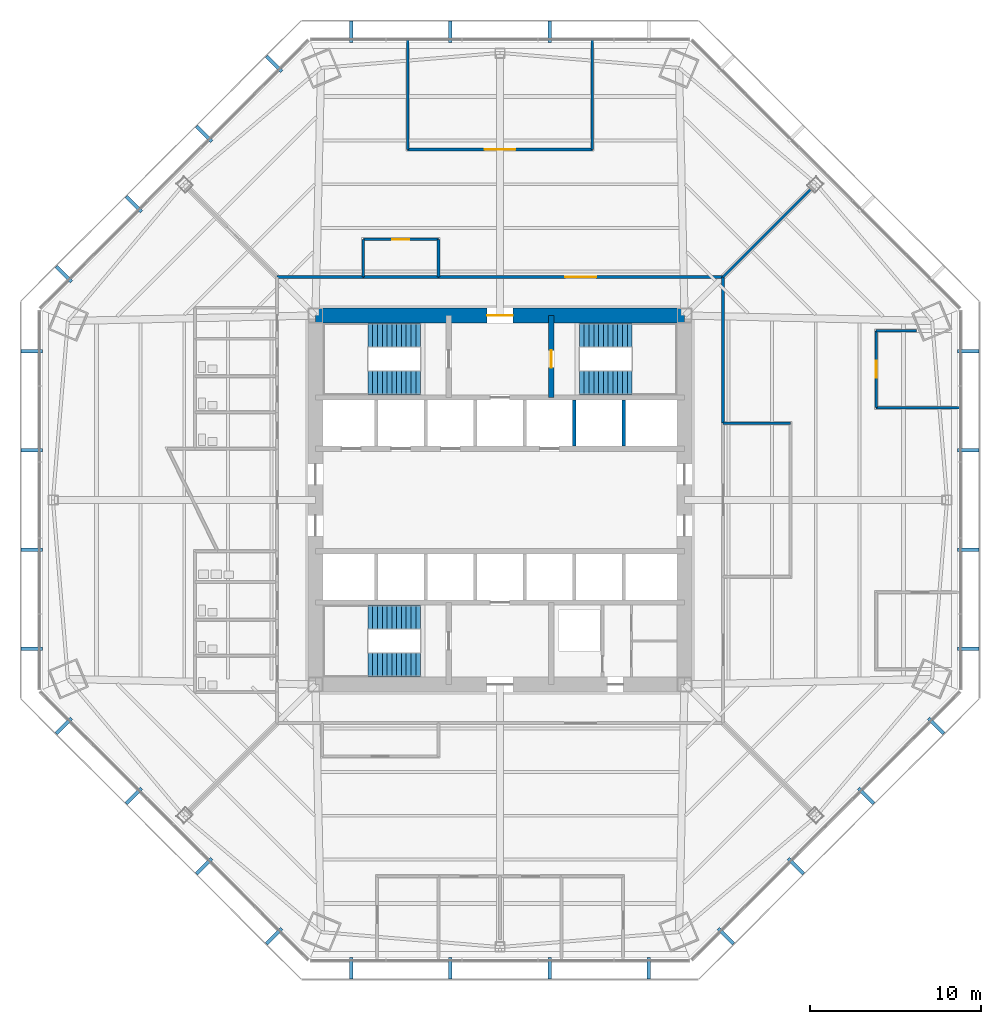
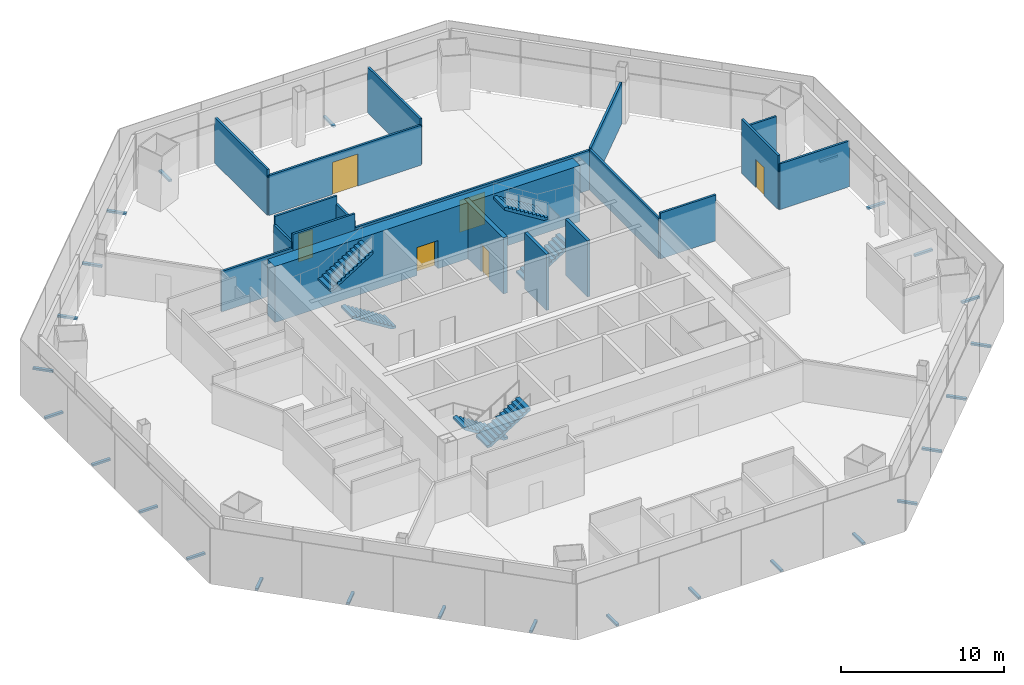
# One storey, part 11 of 15: 27 discrete accessories, 19 walls, 6 doors, 6 stair flights, 6 openings, 3 elements without a shape of their own.
"""IFC4 building model written with IfcOpenShell, lengths in metres."""

from ifc_helpers import new_model, si_unit, direction, frame, frame_2d, origin, origin_2d, place, context, subcontext, project, spatial, polyline, rectangle, outline, extrude, source, transform, mapped, material, layer, layer_set, type_object, type_shapes, element, fill, aggregate, save


model = new_model("IFC4")

# Units and contexts
model_context = context("Model", 3, precision=1e-05, world=origin(), true_north=direction((0.0, 1.0)))
body_context = subcontext(model_context, "Body", "Model", "MODEL_VIEW")
ifc_project = project(units=[si_unit("LENGTHUNIT", "METRE"), si_unit("AREAUNIT", "SQUARE_METRE"), si_unit("VOLUMEUNIT", "CUBIC_METRE"), si_unit("PLANEANGLEUNIT", "RADIAN"), si_unit("MASSUNIT", "GRAM", prefix="KILO")], contexts=[model_context])

# Site, building, storey
site_placement = place(None, origin())
site = spatial("IfcSite", under=ifc_project, at=site_placement, CompositionType="ELEMENT")
building_placement = place(site_placement, origin())
building = spatial("IfcBuilding", under=site, at=building_placement, Name="Mashrafa Tower", CompositionType="ELEMENT")
storey_placement = place(building_placement, frame((0.0, 0.0, 37.199951171875)))
storey = spatial("IfcBuildingStorey", under=building, at=storey_placement, Name="L07", CompositionType="ELEMENT", Elevation=37.199951171875)

# Wall, opening, door
ifc_material_1 = material(Name="Concrete C60/75", Category="concrete")
ifc_layer_1 = layer(ifc_material_1, 0.300048828125)
ifc_layer_set_1 = layer_set([ifc_layer_1], Name="Core wall 300 C60/75")
wall_type_1 = type_object("IfcWallType", Name="Core wall 300 C60/75", PredefinedType="SOLIDWALL", material=ifc_layer_set_1)
wall_1_placement = place(storey_placement, frame((3.0, 6.0, 0.0), z_axis=(0.0, 0.0, 1.0), x_axis=(0.0, 1.0, 0.0)))
wall_1 = element("IfcWall", 1, at=wall_1_placement, inside=storey, type_object=wall_type_1, Name="Core wall CX-NE L07", PredefinedType="SOLIDWALL", context=body_context, shape_type="SweptSolid", body=[
    extrude(rectangle(XDim=4.800048828125, YDim=0.300048828125, at=frame_2d((2.39990234375, 0.0))), origin(), (0.0, 0.0, 1.0), 4.199951171875),
])
opening_1_placement = place(wall_1_placement, frame((1.75, 0.0, 0.0)))
opening_1 = element("IfcOpeningElement", 2, at=opening_1_placement, cuts=wall_1, Name="Opening 07.031", PredefinedType="OPENING", context=body_context, shape_type="SweptSolid", body=[
    extrude(rectangle(XDim=1.0, YDim=2.10009765625, at=frame_2d((0.5, 1.050048828125))), frame((0.0, 0.159912109375, 0.0), z_axis=(0.0, -1.0, 0.0), x_axis=(1.0, 0.0, 0.0)), (0.0, 0.0, 1.0), 0.320068359375),
])
ifc_material_2 = material(Name="Steel door", Category="steel")
door_type_1 = type_object("IfcDoorType", Name="Stair door 1000 x 2100 90 min", OperationType="USERDEFINED", PredefinedType="DOOR", material=ifc_material_2)
door_1_placement = place(opening_1_placement, frame((1.0, 0.0, 0.0), z_axis=(0.0, 0.0, 1.0), x_axis=(-1.0, 0.0, 0.0)))
door_1 = element("IfcDoor", 3, at=door_1_placement, inside=storey, type_object=door_type_1, Name="Stair S2 door L07", OperationType="SINGLE_SWING_RIGHT", OverallHeight=2.10009765625, OverallWidth=1.0, PredefinedType="DOOR", context=body_context, shape_type="SweptSolid", body=[
    extrude(rectangle(XDim=1.0, YDim=2.10009765625, at=frame_2d((0.5, 1.050048828125))), frame((0.0, 0.02490234375, 0.0), z_axis=(0.0, -1.0, 0.0), x_axis=(1.0, 0.0, 0.0)), (0.0, 0.0, 1.0), 0.050048828125),
])
fill(opening_1, door_1)

ifc_material_3 = material(Name="Concrete C60/75", Category="concrete")
ifc_layer_2 = layer(ifc_material_3, 0.89990234375)
ifc_layer_set_2 = layer_set([ifc_layer_2], Name="Core wall 900 C60/75")
wall_type_2 = type_object("IfcWallType", Name="Core wall 900 C60/75", PredefinedType="SOLIDWALL", material=ifc_layer_set_2)
wall_2_placement = place(storey_placement, frame((10.800048828125, 10.800048828125, 0.0), z_axis=(0.0, 0.0, 1.0), x_axis=(-1.0, 0.0, 0.0)))
wall_2 = element("IfcWall", 4, at=wall_2_placement, inside=storey, type_object=wall_type_2, Name="Core wall CW-N L07", PredefinedType="SOLIDWALL", context=body_context, shape_type="SweptSolid", body=[
    extrude(rectangle(XDim=21.60009765625, YDim=0.89990234375, at=frame_2d((10.800048828125, 0.0))), origin(), (0.0, 0.0, 1.0), 4.199951171875),
])
opening_2_placement = place(wall_2_placement, frame((10.050048828125, 0.0, 0.0)))
opening_2 = element("IfcOpeningElement", 5, at=opening_2_placement, cuts=wall_2, Name="Opening 07.028", PredefinedType="OPENING", context=body_context, shape_type="SweptSolid", body=[
    extrude(rectangle(XDim=1.5, YDim=2.10009765625, at=frame_2d((0.75, 1.050048828125))), frame((0.0, 0.4599609375, 0.0), z_axis=(0.0, -1.0, 0.0), x_axis=(1.0, 0.0, 0.0)), (0.0, 0.0, 1.0), 0.919921875),
])
ifc_material_4 = material(Name="Steel door", Category="steel")
door_type_2 = type_object("IfcDoorType", Name="Lobby door pair 1500 x 2100 90 min", OperationType="DOUBLE_DOOR_SINGLE_SWING", PredefinedType="DOOR", material=ifc_material_4)
door_2_placement = place(opening_2_placement, origin())
door_2 = element("IfcDoor", 6, at=door_2_placement, inside=storey, type_object=door_type_2, Name="Fire-fighting lobby F1 door L07", OperationType="DOUBLE_DOOR_SINGLE_SWING", OverallHeight=2.10009765625, OverallWidth=1.5, PredefinedType="DOOR", context=body_context, shape_type="SweptSolid", body=[
    extrude(rectangle(XDim=1.5, YDim=2.10009765625, at=frame_2d((0.75, 1.050048828125))), frame((0.0, 0.02490234375, 0.0), z_axis=(0.0, -1.0, 0.0), x_axis=(1.0, 0.0, 0.0)), (0.0, 0.0, 1.0), 0.050048828125),
])
fill(opening_2, door_2)

# Walls
ifc_material_5 = material(Name="Gypsum board on steel studs", Category="steel")
ifc_layer_3 = layer(ifc_material_5, 0.14990234375)
ifc_layer_set_3 = layer_set([ifc_layer_3], Name="Corridor partition 150 1 hr")
wall_type_3 = type_object("IfcWallType", Name="Corridor partition 150 1 hr", PredefinedType="PARTITIONING", material=ifc_layer_set_3)
wall_3_placement = place(storey_placement, frame((-3.59912109375, 13.050048828125, 0.0), z_axis=(0.0, 0.0, 1.0), x_axis=(-1.0, 0.0, 0.0)))
element("IfcWall", 7, at=wall_3_placement, inside=storey, type_object=wall_type_3, Name="Corridor wall L07-011", PredefinedType="PARTITIONING", context=body_context, shape_type="SweptSolid", body=[
    extrude(rectangle(XDim=4.40185546875, YDim=0.14990234375, at=frame_2d((2.200927734375, 0.0))), origin(), (0.0, 0.0, 1.0), 4.03515625),
])
wall_4_placement = place(storey_placement, frame((-7.9990234375, 13.050048828125, 0.0), z_axis=(0.0, 0.0, 1.0), x_axis=(-1.0, 0.0, 0.0)))
element("IfcWall", 8, at=wall_4_placement, inside=storey, type_object=wall_type_3, Name="Corridor wall L07-013", PredefinedType="PARTITIONING", context=body_context, shape_type="SweptSolid", body=[
    extrude(rectangle(XDim=5.051025390625, YDim=0.14990234375, at=frame_2d((2.525390625, 0.0))), origin(), (0.0, 0.0, 1.0), 3.01416015625),
])

# Wall, opening, door
wall_5_placement = place(storey_placement, frame((13.050048828125, 13.050048828125, 0.0), z_axis=(0.0, 0.0, 1.0), x_axis=(-1.0, 0.0, 0.0)))
wall_5 = element("IfcWall", 9, at=wall_5_placement, inside=storey, type_object=wall_type_3, Name="Corridor wall L07-014", PredefinedType="PARTITIONING", context=body_context, shape_type="SweptSolid", body=[
    extrude(rectangle(XDim=16.651123046875, YDim=0.14990234375, at=frame_2d((8.32568359375, 0.0))), origin(), (0.0, 0.0, 1.0), 2.983642578125),
])
opening_3_placement = place(wall_5_placement, frame((7.425537109375, 0.0, 0.0)))
opening_3 = element("IfcOpeningElement", 10, at=opening_3_placement, cuts=wall_5, Name="Opening 07.020", PredefinedType="OPENING", context=body_context, shape_type="SweptSolid", body=[
    extrude(rectangle(XDim=1.800048828125, YDim=2.39990234375, at=frame_2d((0.89990234375, 1.199951171875))), frame((0.0, 0.0849609375, 0.0), z_axis=(0.0, -1.0, 0.0), x_axis=(1.0, 0.0, 0.0)), (0.0, 0.0, 1.0), 0.169921875),
])
ifc_material_6 = material(Name="Timber door", Category="wood")
door_type_3 = type_object("IfcDoorType", Name="Door pair 1800 x 2400", OperationType="DOUBLE_DOOR_SINGLE_SWING", PredefinedType="DOOR", material=ifc_material_6)
door_3_placement = place(opening_3_placement, frame((1.800048828125, 0.0, 0.0), z_axis=(0.0, 0.0, 1.0), x_axis=(-1.0, 0.0, 0.0)))
door_3 = element("IfcDoor", 11, at=door_3_placement, inside=storey, type_object=door_type_3, Name="Corporate Banking Office 07 door", OperationType="DOUBLE_DOOR_SINGLE_SWING", OverallHeight=2.39990234375, OverallWidth=1.800048828125, PredefinedType="DOOR", context=body_context, shape_type="SweptSolid", body=[
    extrude(rectangle(XDim=1.800048828125, YDim=2.39990234375, at=frame_2d((0.89990234375, 1.199951171875))), frame((0.0, 0.02490234375, 0.0), z_axis=(0.0, -1.0, 0.0), x_axis=(1.0, 0.0, 0.0)), (0.0, 0.0, 1.0), 0.050048828125),
])
fill(opening_3, door_3)

# Walls
wall_6_placement = place(storey_placement, frame((13.050048828125, 4.4990234375, 0.0), z_axis=(0.0, 0.0, 1.0), x_axis=(0.0, 1.0, 0.0)))
element("IfcWall", 12, at=wall_6_placement, inside=storey, type_object=wall_type_3, Name="Corridor wall L07-016", PredefinedType="PARTITIONING", context=body_context, shape_type="SweptSolid", body=[
    extrude(rectangle(XDim=8.551025390625, YDim=0.14990234375, at=frame_2d((4.275390625, 0.0))), origin(), (0.0, 0.0, 1.0), 3.01416015625),
])
wall_7_placement = place(storey_placement, frame((17.0, 4.5, 0.0), z_axis=(0.0, 0.0, 1.0), x_axis=(-1.0, 0.0, 0.0)))
element("IfcWall", 13, at=wall_7_placement, inside=storey, type_object=wall_type_3, Name="Corridor wall L07-044", PredefinedType="PARTITIONING", context=body_context, shape_type="SweptSolid", body=[
    extrude(rectangle(XDim=3.949951171875, YDim=0.14990234375, at=frame_2d((1.97509765625, 0.0))), origin(), (0.0, 0.0, 1.0), 3.425537109375),
])
ifc_material_7 = material(Name="Gypsum board on steel studs", Category="steel")
ifc_layer_4 = layer(ifc_material_7, 0.14990234375)
ifc_layer_set_4 = layer_set([ifc_layer_4], Name="Partition 150")
wall_type_4 = type_object("IfcWallType", Name="Partition 150", PredefinedType="PARTITIONING", material=ifc_layer_set_4)
wall_8_placement = place(storey_placement, frame((-5.39990234375, 26.9443359375, 0.0), z_axis=(0.0, 0.0, 1.0), x_axis=(0.0, -1.0, 0.0)))
element("IfcWall", 14, at=wall_8_placement, inside=storey, type_object=wall_type_4, Name="Partition wall L07-045", PredefinedType="PARTITIONING", context=body_context, shape_type="SweptSolid", body=[
    extrude(rectangle(XDim=6.431884765625, YDim=0.14990234375, at=frame_2d((3.2158203125, 0.0))), origin(), (0.0, 0.0, 1.0), 3.423095703125),
])

# Wall, opening, door
wall_9_placement = place(storey_placement, frame((-5.39990234375, 20.512451171875, 0.0), z_axis=(0.0, 0.0, 1.0), x_axis=(1.0, 0.0, 0.0)))
wall_9 = element("IfcWall", 15, at=wall_9_placement, inside=storey, type_object=wall_type_4, Name="Partition wall L07-046", PredefinedType="PARTITIONING", context=body_context, shape_type="SweptSolid", body=[
    extrude(rectangle(XDim=10.7998046875, YDim=0.14990234375, at=frame_2d((5.39990234375, 0.0))), origin(), (0.0, 0.0, 1.0), 2.983642578125),
])
opening_4_placement = place(wall_9_placement, frame((4.5, 0.0, 0.0)))
opening_4 = element("IfcOpeningElement", 16, at=opening_4_placement, cuts=wall_9, Name="Opening 07.011", PredefinedType="OPENING", context=body_context, shape_type="SweptSolid", body=[
    extrude(rectangle(XDim=1.800048828125, YDim=2.39990234375, at=frame_2d((0.89990234375, 1.199951171875))), frame((0.0, 0.0849609375, 0.0), z_axis=(0.0, -1.0, 0.0), x_axis=(1.0, 0.0, 0.0)), (0.0, 0.0, 1.0), 0.169921875),
])
door_4_placement = place(opening_4_placement, origin())
door_4 = element("IfcDoor", 17, at=door_4_placement, inside=storey, type_object=door_type_3, Name="Board Room 07 door", OperationType="DOUBLE_DOOR_SINGLE_SWING", OverallHeight=2.39990234375, OverallWidth=1.800048828125, PredefinedType="DOOR", context=body_context, shape_type="SweptSolid", body=[
    extrude(rectangle(XDim=1.800048828125, YDim=2.39990234375, at=frame_2d((0.89990234375, 1.199951171875))), frame((0.0, 0.02490234375, 0.0), z_axis=(0.0, -1.0, 0.0), x_axis=(1.0, 0.0, 0.0)), (0.0, 0.0, 1.0), 0.050048828125),
])
fill(opening_4, door_4)

# Walls
wall_10_placement = place(storey_placement, frame((5.39990234375, 20.512451171875, 0.0), z_axis=(0.0, 0.0, 1.0), x_axis=(0.0, 1.0, 0.0)))
element("IfcWall", 18, at=wall_10_placement, inside=storey, type_object=wall_type_4, Name="Partition wall L07-047", PredefinedType="PARTITIONING", context=body_context, shape_type="SweptSolid", body=[
    extrude(rectangle(XDim=6.431884765625, YDim=0.14990234375, at=frame_2d((3.2158203125, 0.0))), origin(), (0.0, 0.0, 1.0), 3.423095703125),
])
wall_11_placement = place(storey_placement, frame((-3.60009765625, 13.050048828125, 0.0), z_axis=(0.0, 0.0, 1.0), x_axis=(0.0, 1.0, 0.0)))
element("IfcWall", 19, at=wall_11_placement, inside=storey, type_object=wall_type_4, Name="Partition wall L07-048", PredefinedType="PARTITIONING", context=body_context, shape_type="SweptSolid", body=[
    extrude(rectangle(XDim=2.199951171875, YDim=0.14990234375, at=frame_2d((1.10009765625, 0.0))), origin(), (0.0, 0.0, 1.0), 3.425537109375),
])

# Wall, opening, door
wall_12_placement = place(storey_placement, frame((-3.60009765625, 15.25, 0.0), z_axis=(0.0, 0.0, 1.0), x_axis=(-1.0, 0.0, 0.0)))
wall_12 = element("IfcWall", 20, at=wall_12_placement, inside=storey, type_object=wall_type_4, Name="Partition wall L07-049", PredefinedType="PARTITIONING", context=body_context, shape_type="SweptSolid", body=[
    extrude(rectangle(XDim=4.39990234375, YDim=0.14990234375, at=frame_2d((2.199951171875, 0.0))), origin(), (0.0, 0.0, 1.0), 4.03515625),
])
opening_5_placement = place(wall_12_placement, frame((1.699951171875, 0.0, 0.0)))
opening_5 = element("IfcOpeningElement", 21, at=opening_5_placement, cuts=wall_12, Name="Opening 07.012", PredefinedType="OPENING", context=body_context, shape_type="SweptSolid", body=[
    extrude(rectangle(XDim=1.0, YDim=2.10009765625, at=frame_2d((0.5, 1.050048828125))), frame((0.0, 0.0849609375, 0.0), z_axis=(0.0, -1.0, 0.0), x_axis=(1.0, 0.0, 0.0)), (0.0, 0.0, 1.0), 0.169921875),
])
ifc_material_8 = material(Name="Timber door", Category="wood")
door_type_4 = type_object("IfcDoorType", Name="Door 1000 x 2100", OperationType="USERDEFINED", PredefinedType="DOOR", material=ifc_material_8)
door_5_placement = place(opening_5_placement, origin())
door_5 = element("IfcDoor", 22, at=door_5_placement, inside=storey, type_object=door_type_4, Name="Pantry 07 door", OperationType="SINGLE_SWING_LEFT", OverallHeight=2.10009765625, OverallWidth=1.0, PredefinedType="DOOR", context=body_context, shape_type="SweptSolid", body=[
    extrude(rectangle(XDim=1.0, YDim=2.10009765625, at=frame_2d((0.5, 1.050048828125))), frame((0.0, 0.02490234375, 0.0), z_axis=(0.0, -1.0, 0.0), x_axis=(1.0, 0.0, 0.0)), (0.0, 0.0, 1.0), 0.050048828125),
])
fill(opening_5, door_5)

# Walls
wall_13_placement = place(storey_placement, frame((-8.0, 15.25, 0.0), z_axis=(0.0, 0.0, 1.0), x_axis=(0.0, -1.0, 0.0)))
element("IfcWall", 23, at=wall_13_placement, inside=storey, type_object=wall_type_4, Name="Partition wall L07-050", PredefinedType="PARTITIONING", context=body_context, shape_type="SweptSolid", body=[
    extrude(rectangle(XDim=2.199951171875, YDim=0.14990234375, at=frame_2d((1.10009765625, 0.0))), origin(), (0.0, 0.0, 1.0), 3.425537109375),
])
wall_14_placement = place(storey_placement, frame((24.38720703125, 9.89990234375, 0.0), z_axis=(0.0, 0.0, 1.0), x_axis=(-1.0, 0.0, 0.0)))
element("IfcWall", 24, at=wall_14_placement, inside=storey, type_object=wall_type_4, Name="Partition wall L07-063", PredefinedType="PARTITIONING", context=body_context, shape_type="SweptSolid", body=[
    extrude(rectangle(XDim=2.374755859375, YDim=0.14990234375, at=frame_2d((1.1875, 0.0))), origin(), (0.0, 0.0, 1.0), 3.423095703125),
])

# Wall, opening, door
wall_15_placement = place(storey_placement, frame((22.012451171875, 9.89990234375, 0.0), z_axis=(0.0, 0.0, 1.0), x_axis=(0.0, -1.0, 0.0)))
wall_15 = element("IfcWall", 25, at=wall_15_placement, inside=storey, type_object=wall_type_4, Name="Partition wall L07-064", PredefinedType="PARTITIONING", context=body_context, shape_type="SweptSolid", body=[
    extrude(rectangle(XDim=4.5, YDim=0.14990234375, at=frame_2d((2.25, 0.0))), origin(), (0.0, 0.0, 1.0), 4.03515625),
])
opening_6_placement = place(wall_15_placement, frame((1.75, 0.0, 0.0)))
opening_6 = element("IfcOpeningElement", 26, at=opening_6_placement, cuts=wall_15, Name="Opening 07.018", PredefinedType="OPENING", context=body_context, shape_type="SweptSolid", body=[
    extrude(rectangle(XDim=1.0, YDim=2.10009765625, at=frame_2d((0.5, 1.050048828125))), frame((0.0, 0.0849609375, 0.0), z_axis=(0.0, -1.0, 0.0), x_axis=(1.0, 0.0, 0.0)), (0.0, 0.0, 1.0), 0.169921875),
])
door_6_placement = place(opening_6_placement, origin())
door_6 = element("IfcDoor", 27, at=door_6_placement, inside=storey, type_object=door_type_4, Name="Meeting Room 07-1 door", OperationType="SINGLE_SWING_RIGHT", OverallHeight=2.10009765625, OverallWidth=1.0, PredefinedType="DOOR", context=body_context, shape_type="SweptSolid", body=[
    extrude(rectangle(XDim=1.0, YDim=2.10009765625, at=frame_2d((0.5, 1.050048828125))), frame((0.0, 0.02490234375, 0.0), z_axis=(0.0, -1.0, 0.0), x_axis=(1.0, 0.0, 0.0)), (0.0, 0.0, 1.0), 0.050048828125),
])
fill(opening_6, door_6)

# Walls
wall_16_placement = place(storey_placement, frame((22.012451171875, 5.39990234375, 0.0), z_axis=(0.0, 0.0, 1.0), x_axis=(1.0, 0.0, 0.0)))
element("IfcWall", 28, at=wall_16_placement, inside=storey, type_object=wall_type_4, Name="Partition wall L07-065", PredefinedType="PARTITIONING", context=body_context, shape_type="SweptSolid", body=[
    extrude(rectangle(XDim=4.931884765625, YDim=0.14990234375, at=frame_2d((2.4658203125, 0.0))), origin(), (0.0, 0.0, 1.0), 3.423095703125),
])
wall_17_placement = place(storey_placement, frame((13.050048828125, 13.050048828125, 0.0), z_axis=(0.0, 0.0, 1.0), x_axis=(0.707106781187, 0.707106781187, 0.0)))
element("IfcWall", 29, at=wall_17_placement, inside=storey, type_object=wall_type_4, Name="Partition wall L07-069", PredefinedType="PARTITIONING", context=body_context, shape_type="SweptSolid", body=[
    extrude(rectangle(XDim=7.268798828125, YDim=0.14990234375, at=frame_2d((3.63427734375, 0.0))), origin(), (0.0, 0.0, 1.0), 3.097900390625),
])
ifc_material_9 = material(Name="Gypsum shaft wall on steel studs", Category="steel")
ifc_layer_5 = layer(ifc_material_9, 0.199951171875)
ifc_layer_set_5 = layer_set([ifc_layer_5], Name="Shaft divider wall 200 2 hr")
wall_type_5 = type_object("IfcWallType", Name="Shaft divider wall 200 2 hr", PredefinedType="PARTITIONING", material=ifc_layer_set_5)
for number, where, z_axis, x_axis, name in (
    (30, (4.35009765625, 3.14990234375, 0.0), (0.0, 0.0, 1.0), (0.0, 1.0, 0.0), "Shaft divider wall N5 L07"),
    (31, (7.25, 3.14990234375, 0.0), (0.0, 0.0, 1.0), (0.0, 1.0, 0.0), "Shaft divider wall N6 L07"),
):
    element("IfcWall", number, at=place(storey_placement, frame(where, z_axis=z_axis, x_axis=x_axis)), inside=storey, type_object=wall_type_5, Name=name, PredefinedType="PARTITIONING", context=body_context, shape_type="SweptSolid", body=[
        extrude(rectangle(XDim=2.7001953125, YDim=0.199951171875, at=frame_2d((1.35009765625, 0.0))), origin(), (0.0, 0.0, 1.0), 4.199951171875),
    ])

# Stair, stair flights
ifc_material_10 = material(Name="Exit stair 1400")
stair_type = type_object("IfcStairType", Name="Exit stair 1400", PredefinedType="HALF_TURN_STAIR", material=ifc_material_10)
stair_1_placement = place(storey_placement, origin())
stair_1 = element("IfcStair", 32, at=stair_1_placement, inside=storey, type_object=stair_type, Name="Stair S1 L07", PredefinedType="HALF_TURN_STAIR")
ifc_material_11 = material(Name="Concrete C32/40", Category="concrete")
stair_flight_type = type_object("IfcStairFlightType", Name="Stair flight 1400", PredefinedType="STRAIGHT", material=ifc_material_11)
stair_flight_1_placement = place(storey_placement, frame((-4.64990234375, 6.85009765625, 0.0), z_axis=(0.0, 0.0, 1.0), x_axis=(-1.0, 0.0, 0.0)))
stair_flight_1 = element("IfcStairFlight", 33, at=stair_flight_1_placement, type_object=stair_flight_type, Name="S1 flight 1", NumberOfRisers=12, NumberOfTreads=11, PredefinedType="STRAIGHT", RiserHeight=0.175, TreadLength=0.28, context=body_context, shape_type="SweptSolid", body=[
    extrude(outline(polyline([(0.0, 0.0), (0.0, 0.175048828125), (0.280029296875, 0.175048828125), (0.280029296875, 0.35009765625), (0.56005859375, 0.35009765625), (0.56005859375, 0.52490234375), (0.840087890625, 0.52490234375), (0.840087890625, 0.699951171875), (1.1201171875, 0.699951171875), (1.1201171875, 0.875), (1.39990234375, 0.875), (1.39990234375, 1.050048828125), (1.679931640625, 1.050048828125), (1.679931640625, 1.22509765625), (1.9599609375, 1.22509765625), (1.9599609375, 1.39990234375), (2.239990234375, 1.39990234375), (2.239990234375, 1.574951171875), (2.52001953125, 1.574951171875), (2.52001953125, 1.75), (2.800048828125, 1.75), (2.800048828125, 1.925048828125), (3.080078125, 1.925048828125), (3.080078125, 2.10009765625), (3.080078125, 1.748291015625), (0.28271484375, 0.0), (0.0, 0.0)])), frame((0.0, 0.699951171875, 0.0), z_axis=(0.0, -1.0, 0.0), x_axis=(1.0, 0.0, 0.0)), (0.0, 0.0, 1.0), 1.39990234375),
])
stair_flight_2_placement = place(storey_placement, frame((-7.72998046875, 9.64990234375, 2.10009765625), z_axis=(0.0, 0.0, 1.0), x_axis=(1.0, 0.0, 0.0)))
stair_flight_2 = element("IfcStairFlight", 34, at=stair_flight_2_placement, type_object=stair_flight_type, Name="S1 flight 2", NumberOfRisers=12, NumberOfTreads=11, PredefinedType="STRAIGHT", RiserHeight=0.175, TreadLength=0.28, context=body_context, shape_type="SweptSolid", body=[
    extrude(outline(polyline([(0.0, 0.0), (0.0, 0.175048828125), (0.280029296875, 0.175048828125), (0.280029296875, 0.35009765625), (0.56005859375, 0.35009765625), (0.56005859375, 0.52490234375), (0.840087890625, 0.52490234375), (0.840087890625, 0.699951171875), (1.1201171875, 0.699951171875), (1.1201171875, 0.875), (1.39990234375, 0.875), (1.39990234375, 1.050048828125), (1.679931640625, 1.050048828125), (1.679931640625, 1.22509765625), (1.9599609375, 1.22509765625), (1.9599609375, 1.39990234375), (2.239990234375, 1.39990234375), (2.239990234375, 1.574951171875), (2.52001953125, 1.574951171875), (2.52001953125, 1.75), (2.800048828125, 1.75), (2.800048828125, 1.925048828125), (3.080078125, 1.925048828125), (3.080078125, 2.10009765625), (3.080078125, 1.748291015625), (0.28271484375, 0.0), (0.0, 0.0)])), frame((0.0, 0.699951171875, 0.0), z_axis=(0.0, -1.0, 0.0), x_axis=(1.0, 0.0, 0.0)), (0.0, 0.0, 1.0), 1.39990234375),
])
aggregate(stair_1, [stair_flight_1, stair_flight_2])

stair_2_placement = place(storey_placement, origin())
stair_2 = element("IfcStair", 35, at=stair_2_placement, inside=storey, type_object=stair_type, Name="Stair S2 L07", PredefinedType="HALF_TURN_STAIR")
stair_flight_3_placement = place(storey_placement, frame((4.64990234375, 6.85009765625, 0.0), z_axis=(0.0, 0.0, 1.0), x_axis=(1.0, 0.0, 0.0)))
stair_flight_3 = element("IfcStairFlight", 36, at=stair_flight_3_placement, type_object=stair_flight_type, Name="S2 flight 1", NumberOfRisers=12, NumberOfTreads=11, PredefinedType="STRAIGHT", RiserHeight=0.175, TreadLength=0.28, context=body_context, shape_type="SweptSolid", body=[
    extrude(outline(polyline([(0.0, 0.0), (0.0, 0.175048828125), (0.280029296875, 0.175048828125), (0.280029296875, 0.35009765625), (0.56005859375, 0.35009765625), (0.56005859375, 0.52490234375), (0.840087890625, 0.52490234375), (0.840087890625, 0.699951171875), (1.1201171875, 0.699951171875), (1.1201171875, 0.875), (1.39990234375, 0.875), (1.39990234375, 1.050048828125), (1.679931640625, 1.050048828125), (1.679931640625, 1.22509765625), (1.9599609375, 1.22509765625), (1.9599609375, 1.39990234375), (2.239990234375, 1.39990234375), (2.239990234375, 1.574951171875), (2.52001953125, 1.574951171875), (2.52001953125, 1.75), (2.800048828125, 1.75), (2.800048828125, 1.925048828125), (3.080078125, 1.925048828125), (3.080078125, 2.10009765625), (3.080078125, 1.748291015625), (0.28271484375, 0.0), (0.0, 0.0)])), frame((0.0, 0.699951171875, 0.0), z_axis=(0.0, -1.0, 0.0), x_axis=(1.0, 0.0, 0.0)), (0.0, 0.0, 1.0), 1.39990234375),
])
stair_flight_4_placement = place(storey_placement, frame((7.72998046875, 9.64990234375, 2.10009765625), z_axis=(0.0, 0.0, 1.0), x_axis=(-1.0, 0.0, 0.0)))
stair_flight_4 = element("IfcStairFlight", 37, at=stair_flight_4_placement, type_object=stair_flight_type, Name="S2 flight 2", NumberOfRisers=12, NumberOfTreads=11, PredefinedType="STRAIGHT", RiserHeight=0.175, TreadLength=0.28, context=body_context, shape_type="SweptSolid", body=[
    extrude(outline(polyline([(0.0, 0.0), (0.0, 0.175048828125), (0.280029296875, 0.175048828125), (0.280029296875, 0.35009765625), (0.56005859375, 0.35009765625), (0.56005859375, 0.52490234375), (0.840087890625, 0.52490234375), (0.840087890625, 0.699951171875), (1.1201171875, 0.699951171875), (1.1201171875, 0.875), (1.39990234375, 0.875), (1.39990234375, 1.050048828125), (1.679931640625, 1.050048828125), (1.679931640625, 1.22509765625), (1.9599609375, 1.22509765625), (1.9599609375, 1.39990234375), (2.239990234375, 1.39990234375), (2.239990234375, 1.574951171875), (2.52001953125, 1.574951171875), (2.52001953125, 1.75), (2.800048828125, 1.75), (2.800048828125, 1.925048828125), (3.080078125, 1.925048828125), (3.080078125, 2.10009765625), (3.080078125, 1.748291015625), (0.28271484375, 0.0), (0.0, 0.0)])), frame((0.0, 0.699951171875, 0.0), z_axis=(0.0, -1.0, 0.0), x_axis=(1.0, 0.0, 0.0)), (0.0, 0.0, 1.0), 1.39990234375),
])
aggregate(stair_2, [stair_flight_3, stair_flight_4])

stair_3_placement = place(storey_placement, origin())
stair_3 = element("IfcStair", 38, at=stair_3_placement, inside=storey, type_object=stair_type, Name="Stair S3 L07", PredefinedType="HALF_TURN_STAIR")
stair_flight_5_placement = place(storey_placement, frame((-4.64990234375, -6.85009765625, 0.0), z_axis=(0.0, 0.0, 1.0), x_axis=(-1.0, 0.0, 0.0)))
stair_flight_5 = element("IfcStairFlight", 39, at=stair_flight_5_placement, type_object=stair_flight_type, Name="S3 flight 1", NumberOfRisers=12, NumberOfTreads=11, PredefinedType="STRAIGHT", RiserHeight=0.175, TreadLength=0.28, context=body_context, shape_type="SweptSolid", body=[
    extrude(outline(polyline([(0.0, 0.0), (0.0, 0.175048828125), (0.280029296875, 0.175048828125), (0.280029296875, 0.35009765625), (0.56005859375, 0.35009765625), (0.56005859375, 0.52490234375), (0.840087890625, 0.52490234375), (0.840087890625, 0.699951171875), (1.1201171875, 0.699951171875), (1.1201171875, 0.875), (1.39990234375, 0.875), (1.39990234375, 1.050048828125), (1.679931640625, 1.050048828125), (1.679931640625, 1.22509765625), (1.9599609375, 1.22509765625), (1.9599609375, 1.39990234375), (2.239990234375, 1.39990234375), (2.239990234375, 1.574951171875), (2.52001953125, 1.574951171875), (2.52001953125, 1.75), (2.800048828125, 1.75), (2.800048828125, 1.925048828125), (3.080078125, 1.925048828125), (3.080078125, 2.10009765625), (3.080078125, 1.748291015625), (0.28271484375, 0.0), (0.0, 0.0)])), frame((0.0, 0.699951171875, 0.0), z_axis=(0.0, -1.0, 0.0), x_axis=(1.0, 0.0, 0.0)), (0.0, 0.0, 1.0), 1.39990234375),
])
stair_flight_6_placement = place(storey_placement, frame((-7.72998046875, -9.64990234375, 2.10009765625), z_axis=(0.0, 0.0, 1.0), x_axis=(1.0, 0.0, 0.0)))
stair_flight_6 = element("IfcStairFlight", 40, at=stair_flight_6_placement, type_object=stair_flight_type, Name="S3 flight 2", NumberOfRisers=12, NumberOfTreads=11, PredefinedType="STRAIGHT", RiserHeight=0.175, TreadLength=0.28, context=body_context, shape_type="SweptSolid", body=[
    extrude(outline(polyline([(0.0, 0.0), (0.0, 0.175048828125), (0.280029296875, 0.175048828125), (0.280029296875, 0.35009765625), (0.56005859375, 0.35009765625), (0.56005859375, 0.52490234375), (0.840087890625, 0.52490234375), (0.840087890625, 0.699951171875), (1.1201171875, 0.699951171875), (1.1201171875, 0.875), (1.39990234375, 0.875), (1.39990234375, 1.050048828125), (1.679931640625, 1.050048828125), (1.679931640625, 1.22509765625), (1.9599609375, 1.22509765625), (1.9599609375, 1.39990234375), (2.239990234375, 1.39990234375), (2.239990234375, 1.574951171875), (2.52001953125, 1.574951171875), (2.52001953125, 1.75), (2.800048828125, 1.75), (2.800048828125, 1.925048828125), (3.080078125, 1.925048828125), (3.080078125, 2.10009765625), (3.080078125, 1.748291015625), (0.28271484375, 0.0), (0.0, 0.0)])), frame((0.0, 0.699951171875, 0.0), z_axis=(0.0, -1.0, 0.0), x_axis=(1.0, 0.0, 0.0)), (0.0, 0.0, 1.0), 1.39990234375),
])
aggregate(stair_3, [stair_flight_5, stair_flight_6])

# Discrete accessories
ifc_material_12 = material(Name="Stainless steel screen bracket", Category="steel")
discrete_accessory_type = type_object("IfcDiscreteAccessoryType", Name="Screen support bracket 200 x 150", PredefinedType="BRACKET", material=ifc_material_12)
shared_shape = source(origin(), body_context, "Body", "SweptSolid", [
    extrude(rectangle(XDim=0.199951171875, YDim=1.27001953125, at=origin_2d()), origin(), (0.0, 0.0, 1.0), 0.14990234375),
])
type_shapes(discrete_accessory_type, [shared_shape])
for number, where, z_axis, x_axis, name in (
    (41, (27.3974609375, -8.700927734375, -0.14990234375), (0.0, 0.0, 1.0), (0.0, 1.0, 0.0), "Screen support bracket L07 east 1"),
    (42, (27.3974609375, -2.900390625, -0.14990234375), (0.0, 0.0, 1.0), (0.0, 1.0, 0.0), "Screen support bracket L07 east 2"),
    (43, (27.3974609375, 2.900390625, -0.14990234375), (0.0, 0.0, 1.0), (0.0, 1.0, 0.0), "Screen support bracket L07 east 3"),
    (44, (27.3974609375, 8.700927734375, -0.14990234375), (0.0, 0.0, 1.0), (0.0, 1.0, 0.0), "Screen support bracket L07 east 4"),
    (45, (2.900390625, 27.3974609375, -0.14990234375), (0.0, 0.0, 1.0), (-1.0, 0.0, 0.0), "Screen support bracket L07 north 2"),
    (46, (-2.900390625, 27.3974609375, -0.14990234375), (0.0, 0.0, 1.0), (-1.0, 0.0, 0.0), "Screen support bracket L07 north 3"),
    (47, (-8.700927734375, 27.3974609375, -0.14990234375), (0.0, 0.0, 1.0), (-1.0, 0.0, 0.0), "Screen support bracket L07 north 4"),
    (48, (-13.22021484375, 25.525390625, -0.14990234375), (0.0, 0.0, 1.0), (-0.707106781187, -0.707106781187, 0.0), "Screen support bracket L07 north-west 1"),
    (49, (-17.322021484375, 21.423828125, -0.14990234375), (0.0, 0.0, 1.0), (-0.707106781187, -0.707106781187, 0.0), "Screen support bracket L07 north-west 2"),
    (50, (-21.423828125, 17.322021484375, -0.14990234375), (0.0, 0.0, 1.0), (-0.707106781187, -0.707106781187, 0.0), "Screen support bracket L07 north-west 3"),
    (51, (-25.525390625, 13.22021484375, -0.14990234375), (0.0, 0.0, 1.0), (-0.707106781187, -0.707106781187, 0.0), "Screen support bracket L07 north-west 4"),
    (52, (-27.3974609375, 8.700927734375, -0.14990234375), (0.0, 0.0, 1.0), (0.0, -1.0, 0.0), "Screen support bracket L07 west 1"),
    (53, (-27.3974609375, 2.900390625, -0.14990234375), (0.0, 0.0, 1.0), (0.0, -1.0, 0.0), "Screen support bracket L07 west 2"),
    (54, (-27.3974609375, -2.900390625, -0.14990234375), (0.0, 0.0, 1.0), (0.0, -1.0, 0.0), "Screen support bracket L07 west 3"),
    (55, (-27.3974609375, -8.700927734375, -0.14990234375), (0.0, 0.0, 1.0), (0.0, -1.0, 0.0), "Screen support bracket L07 west 4"),
    (56, (-25.525390625, -13.22021484375, -0.14990234375), (0.0, 0.0, 1.0), (0.707106781187, -0.707106781187, 0.0), "Screen support bracket L07 south-west 1"),
    (57, (-21.423828125, -17.322021484375, -0.14990234375), (0.0, 0.0, 1.0), (0.707106781187, -0.707106781187, 0.0), "Screen support bracket L07 south-west 2"),
    (58, (-17.322021484375, -21.423828125, -0.14990234375), (0.0, 0.0, 1.0), (0.707106781187, -0.707106781187, 0.0), "Screen support bracket L07 south-west 3"),
    (59, (-13.22021484375, -25.525390625, -0.14990234375), (0.0, 0.0, 1.0), (0.707106781187, -0.707106781187, 0.0), "Screen support bracket L07 south-west 4"),
    (60, (-8.700927734375, -27.3974609375, -0.14990234375), (0.0, 0.0, 1.0), (1.0, 0.0, 0.0), "Screen support bracket L07 south 1"),
    (61, (-2.900390625, -27.3974609375, -0.14990234375), (0.0, 0.0, 1.0), (1.0, 0.0, 0.0), "Screen support bracket L07 south 2"),
    (62, (2.900390625, -27.3974609375, -0.14990234375), (0.0, 0.0, 1.0), (1.0, 0.0, 0.0), "Screen support bracket L07 south 3"),
    (63, (8.700927734375, -27.3974609375, -0.14990234375), (0.0, 0.0, 1.0), (1.0, 0.0, 0.0), "Screen support bracket L07 south 4"),
    (64, (13.22021484375, -25.525390625, -0.14990234375), (0.0, 0.0, 1.0), (0.707106781187, 0.707106781187, 0.0), "Screen support bracket L07 south-east 1"),
    (65, (17.322021484375, -21.423828125, -0.14990234375), (0.0, 0.0, 1.0), (0.707106781187, 0.707106781187, 0.0), "Screen support bracket L07 south-east 2"),
    (66, (21.423828125, -17.322021484375, -0.14990234375), (0.0, 0.0, 1.0), (0.707106781187, 0.707106781187, 0.0), "Screen support bracket L07 south-east 3"),
    (67, (25.525390625, -13.22021484375, -0.14990234375), (0.0, 0.0, 1.0), (0.707106781187, 0.707106781187, 0.0), "Screen support bracket L07 south-east 4"),
):
    element("IfcDiscreteAccessory", number, at=place(storey_placement, frame(where, z_axis=z_axis, x_axis=x_axis)), inside=storey, type_object=discrete_accessory_type, Name=name, PredefinedType="BRACKET", context=body_context, shape_type="MappedRepresentation", body=[
        mapped(shared_shape, transform((0.0, 0.0, 0.0))),
    ])

save(model, "model.ifc")
